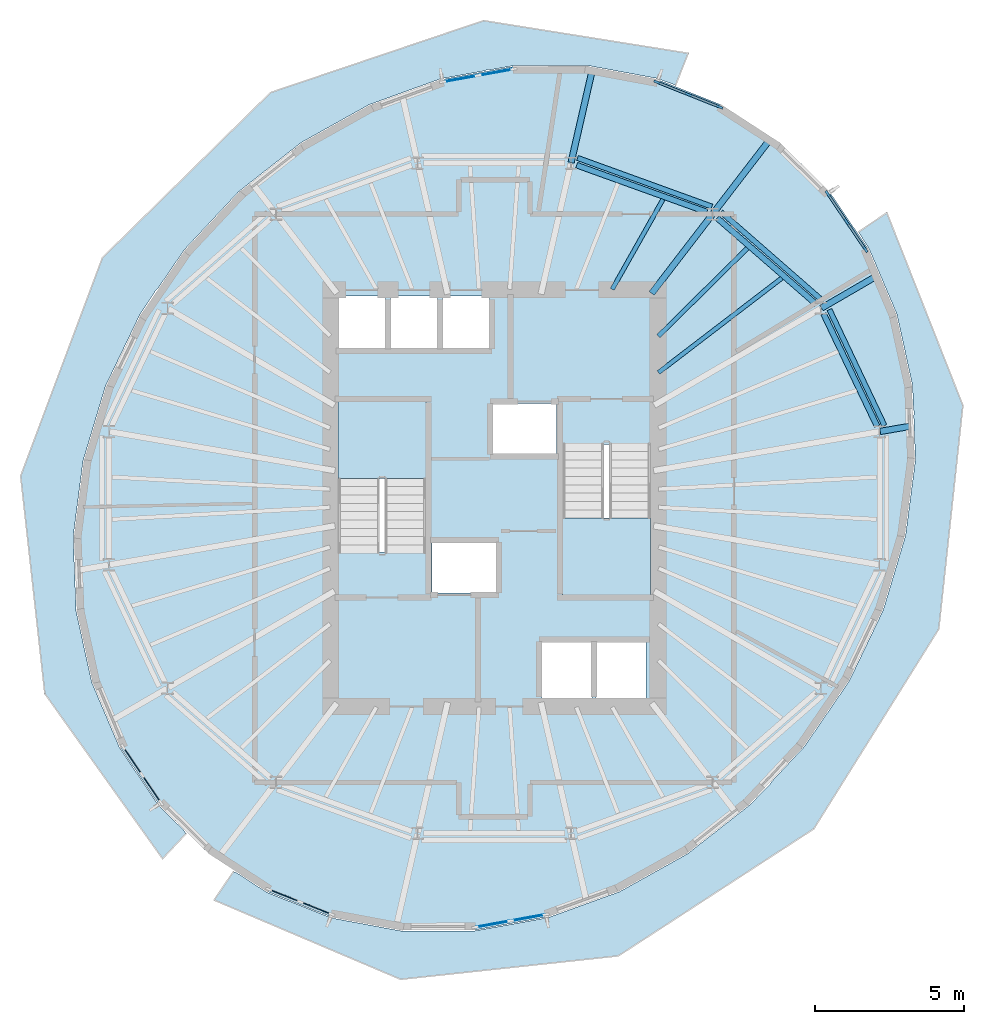
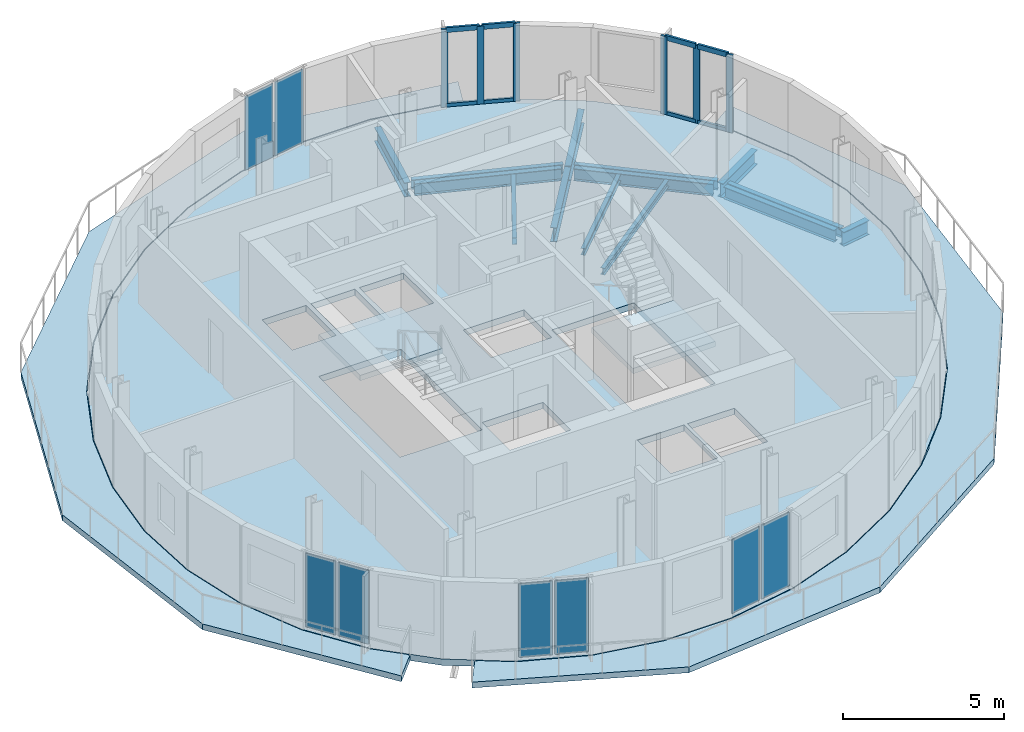
# One storey, part 3 of 9: 14 beams, 14 members, 8 plates, 5 slabs, 8 elements without a shape of their own.
"""IFC4 building model written with IfcOpenShell, lengths in metres."""

from ifc_helpers import new_model, si_unit, direction, frame, origin, origin_2d, place, context, subcontext, project, spatial, polyline, rectangle, i_section, outline, extrude, material, layer, layer_set, material_profile, profile_set, type_object, element, aggregate, save


model = new_model("IFC4")

# Units and contexts
model_context = context("Model", 3, precision=1e-05, world=origin(), true_north=direction((0.0, 1.0)))
body_context = subcontext(model_context, "Body", "Model", "MODEL_VIEW")
ifc_project = project(units=[si_unit("LENGTHUNIT", "METRE"), si_unit("AREAUNIT", "SQUARE_METRE"), si_unit("VOLUMEUNIT", "CUBIC_METRE"), si_unit("PLANEANGLEUNIT", "RADIAN"), si_unit("MASSUNIT", "GRAM", prefix="KILO")], contexts=[model_context])

# Site, building, storey
site_placement = place(None, origin())
site = spatial("IfcSite", under=ifc_project, at=site_placement, CompositionType="ELEMENT")
building_placement = place(site_placement, origin())
building = spatial("IfcBuilding", under=site, at=building_placement, Name="Veldorim Arch Residences", CompositionType="ELEMENT")
storey_placement = place(building_placement, frame((0.0, 0.0, 204.639892578125)))
storey = spatial("IfcBuildingStorey", under=building, at=storey_placement, Name="L61", CompositionType="ELEMENT", Elevation=204.639892578125)

# Curtain wall, members
ifc_material_1 = material(Name="Aluminium", Category="aluminium")
curtain_wall_type = type_object("IfcCurtainWallType", Name="Sky Lounge & Conservatory Tall Curtain Wall", PredefinedType="NOTDEFINED", material=ifc_material_1)
curtain_wall_1_placement = place(storey_placement, origin())
curtain_wall_1 = element("IfcCurtainWall", 1, at=curtain_wall_1_placement, inside=storey, type_object=curtain_wall_type, Name="L61 unitised curtain wall bay 02", PredefinedType="NOTDEFINED")
ifc_material_2 = material(Name="Aluminium", Category="aluminium")
ifc_material_profile_1 = material_profile(ifc_material_2, rectangle(XDim=0.080078125, YDim=0.219970703125, at=origin_2d()), Name="ALU_MUL_80x220")
ifc_profile_set_1 = profile_set([ifc_material_profile_1], Name="Aluminium")
member_type_1 = type_object("IfcMemberType", Name="Sky Lounge & Conservatory Tall Curtain Wall Mullion 80x220", PredefinedType="MULLION", material=ifc_profile_set_1)
member_1_placement = place(storey_placement, frame((37.46435546875, 37.9794921875, 0.0), z_axis=(0.0, 0.0, 1.0), x_axis=(0.368670793641, 0.92956002814, 0.0)))
member_1 = element("IfcMember", 2, at=member_1_placement, type_object=member_type_1, Name="CW-SKY mullion 1", PredefinedType="MULLION", context=body_context, shape_type="SweptSolid", body=[
    extrude(rectangle(XDim=0.080078125, YDim=0.219970703125, at=origin_2d()), origin(), (0.0, 0.0, 1.0), 2.960205078125),
])
member_2_placement = place(storey_placement, frame((38.51806640625, 37.5615234375, 0.0), z_axis=(0.0, 0.0, 1.0), x_axis=(0.368670793641, 0.92956002814, 0.0)))
member_2 = element("IfcMember", 3, at=member_2_placement, type_object=member_type_1, Name="CW-SKY mullion 2", PredefinedType="MULLION", context=body_context, shape_type="SweptSolid", body=[
    extrude(rectangle(XDim=0.080078125, YDim=0.219970703125, at=origin_2d()), origin(), (0.0, 0.0, 1.0), 2.960205078125),
])
member_3_placement = place(storey_placement, frame((39.571533203125, 37.143798828125, 0.0), z_axis=(0.0, 0.0, 1.0), x_axis=(0.368670793641, 0.92956002814, 0.0)))
member_3 = element("IfcMember", 4, at=member_3_placement, type_object=member_type_1, Name="CW-SKY mullion 3", PredefinedType="MULLION", context=body_context, shape_type="SweptSolid", body=[
    extrude(rectangle(XDim=0.080078125, YDim=0.219970703125, at=origin_2d()), origin(), (0.0, 0.0, 1.0), 2.960205078125),
])

curtain_wall_2_placement = place(storey_placement, origin())
curtain_wall_2 = element("IfcCurtainWall", 5, at=curtain_wall_2_placement, inside=storey, type_object=curtain_wall_type, Name="L61 unitised curtain wall bay 35", PredefinedType="NOTDEFINED")
member_4_placement = place(storey_placement, frame((43.197021484375, 34.23291015625, 0.0), z_axis=(0.0, 0.0, 1.0), x_axis=(0.827943581901, 0.560811398946, 0.0)))
member_4 = element("IfcMember", 6, at=member_4_placement, type_object=member_type_1, Name="CW-SKY mullion 1", PredefinedType="MULLION", context=body_context, shape_type="SweptSolid", body=[
    extrude(rectangle(XDim=0.080078125, YDim=0.219970703125, at=origin_2d()), origin(), (0.0, 0.0, 1.0), 2.960205078125),
])
member_5_placement = place(storey_placement, frame((43.832763671875, 33.294677734375, 0.0), z_axis=(0.0, 0.0, 1.0), x_axis=(0.827943581901, 0.560811398946, 0.0)))
member_5 = element("IfcMember", 7, at=member_5_placement, type_object=member_type_1, Name="CW-SKY mullion 2", PredefinedType="MULLION", context=body_context, shape_type="SweptSolid", body=[
    extrude(rectangle(XDim=0.080078125, YDim=0.219970703125, at=origin_2d()), origin(), (0.0, 0.0, 1.0), 2.960205078125),
])
member_6_placement = place(storey_placement, frame((44.46826171875, 32.356201171875, 0.0), z_axis=(0.0, 0.0, 1.0), x_axis=(0.827943581901, 0.560811398946, 0.0)))
member_6 = element("IfcMember", 8, at=member_6_placement, type_object=member_type_1, Name="CW-SKY mullion 3", PredefinedType="MULLION", context=body_context, shape_type="SweptSolid", body=[
    extrude(rectangle(XDim=0.080078125, YDim=0.219970703125, at=origin_2d()), origin(), (0.0, 0.0, 1.0), 2.960205078125),
])

# Member
ifc_material_3 = material(Name="Aluminium", Category="aluminium")
ifc_material_profile_2 = material_profile(ifc_material_3, rectangle(XDim=0.080078125, YDim=0.18505859375, at=origin_2d()), Name="ALU_TRN_80x185")
ifc_profile_set_2 = profile_set([ifc_material_profile_2], Name="Aluminium")
member_type_2 = type_object("IfcMemberType", Name="Sky Lounge & Conservatory Tall Curtain Wall Transom 80x185", PredefinedType="USERDEFINED", material=ifc_profile_set_2)
member_7_placement = place(storey_placement, frame((37.50146484375, 37.964599609375, 0.0400390625), z_axis=(0.929623083141, -0.368511768186, 0.0), x_axis=(0.368511768186, 0.929623083141, 0.0)))
member_7 = element("IfcMember", 9, at=member_7_placement, type_object=member_type_2, Name="CW-SKY transom 1.1", ObjectType="TRANSOM", PredefinedType="USERDEFINED", context=body_context, shape_type="SweptSolid", body=[
    extrude(rectangle(XDim=0.080078125, YDim=0.18505859375, at=origin_2d()), origin(), (0.0, 0.0, 1.0), 1.053466796875),
])

member_8_placement = place(storey_placement, frame((37.50146484375, 37.964599609375, 2.920166015625), z_axis=(0.929623083141, -0.368511768186, 0.0), x_axis=(0.368511768186, 0.929623083141, 0.0)))
member_8 = element("IfcMember", 10, at=member_8_placement, type_object=member_type_2, Name="CW-SKY transom 1.2", ObjectType="TRANSOM", PredefinedType="USERDEFINED", context=body_context, shape_type="SweptSolid", body=[
    extrude(rectangle(XDim=0.080078125, YDim=0.18505859375, at=origin_2d()), origin(), (0.0, 0.0, 1.0), 1.053466796875),
])

member_9_placement = place(storey_placement, frame((38.55517578125, 37.546875, 0.0400390625), z_axis=(0.929543669813, -0.368712036568, 0.0), x_axis=(0.368712036568, 0.929543669813, 0.0)))
member_9 = element("IfcMember", 11, at=member_9_placement, type_object=member_type_2, Name="CW-SKY transom 2.1", ObjectType="TRANSOM", PredefinedType="USERDEFINED", context=body_context, shape_type="SweptSolid", body=[
    extrude(rectangle(XDim=0.080078125, YDim=0.18505859375, at=origin_2d()), origin(), (0.0, 0.0, 1.0), 1.053466796875),
])

member_10_placement = place(storey_placement, frame((38.55517578125, 37.546875, 2.920166015625), z_axis=(0.929543669813, -0.368712036568, 0.0), x_axis=(0.368712036568, 0.929543669813, 0.0)))
member_10 = element("IfcMember", 12, at=member_10_placement, type_object=member_type_2, Name="CW-SKY transom 2.2", ObjectType="TRANSOM", PredefinedType="USERDEFINED", context=body_context, shape_type="SweptSolid", body=[
    extrude(rectangle(XDim=0.080078125, YDim=0.18505859375, at=origin_2d()), origin(), (0.0, 0.0, 1.0), 1.053466796875),
])

aggregate(curtain_wall_1, [member_1, member_2, member_3, member_7, member_8, member_9, member_10])

member_11_placement = place(storey_placement, frame((43.219482421875, 34.199951171875, 0.0400390625), z_axis=(0.560781533978, -0.82796381029, 0.0), x_axis=(0.82796381029, 0.560781533978, 0.0)))
member_11 = element("IfcMember", 13, at=member_11_placement, type_object=member_type_2, Name="CW-SKY transom 1.1", ObjectType="TRANSOM", PredefinedType="USERDEFINED", context=body_context, shape_type="SweptSolid", body=[
    extrude(rectangle(XDim=0.080078125, YDim=0.18505859375, at=origin_2d()), origin(), (0.0, 0.0, 1.0), 1.053466796875),
])

member_12_placement = place(storey_placement, frame((43.219482421875, 34.199951171875, 2.920166015625), z_axis=(0.560781533978, -0.82796381029, 0.0), x_axis=(0.82796381029, 0.560781533978, 0.0)))
member_12 = element("IfcMember", 14, at=member_12_placement, type_object=member_type_2, Name="CW-SKY transom 1.2", ObjectType="TRANSOM", PredefinedType="USERDEFINED", context=body_context, shape_type="SweptSolid", body=[
    extrude(rectangle(XDim=0.080078125, YDim=0.18505859375, at=origin_2d()), origin(), (0.0, 0.0, 1.0), 1.053466796875),
])

member_13_placement = place(storey_placement, frame((43.85498046875, 33.261474609375, 0.0400390625), z_axis=(0.560889142733, -0.827890916464, 0.0), x_axis=(0.827890916464, 0.560889142733, 0.0)))
member_13 = element("IfcMember", 15, at=member_13_placement, type_object=member_type_2, Name="CW-SKY transom 2.1", ObjectType="TRANSOM", PredefinedType="USERDEFINED", context=body_context, shape_type="SweptSolid", body=[
    extrude(rectangle(XDim=0.080078125, YDim=0.18505859375, at=origin_2d()), origin(), (0.0, 0.0, 1.0), 1.053466796875),
])

member_14_placement = place(storey_placement, frame((43.85498046875, 33.261474609375, 2.920166015625), z_axis=(0.560889142733, -0.827890916464, 0.0), x_axis=(0.827890916464, 0.560889142733, 0.0)))
member_14 = element("IfcMember", 16, at=member_14_placement, type_object=member_type_2, Name="CW-SKY transom 2.2", ObjectType="TRANSOM", PredefinedType="USERDEFINED", context=body_context, shape_type="SweptSolid", body=[
    extrude(rectangle(XDim=0.080078125, YDim=0.18505859375, at=origin_2d()), origin(), (0.0, 0.0, 1.0), 1.053466796875),
])

aggregate(curtain_wall_2, [member_4, member_5, member_6, member_11, member_12, member_13, member_14])

# Beams
ifc_material_4 = material(Name="Steel S355", Category="steel")
ifc_material_profile_3 = material_profile(ifc_material_4, i_section(OverallWidth=0.2119140625, OverallDepth=0.54443359375, WebThickness=0.0126953125, FlangeThickness=0.021240234375, at=origin_2d()), Name="UB533x210x122")
ifc_profile_set_3 = profile_set([ifc_material_profile_3], Name="Steel S355")
beam_type_1 = type_object("IfcBeamType", Name="Structural Steel Beam UB533x210x122", PredefinedType="BEAM", material=ifc_profile_set_3)
beam_1_placement = place(storey_placement, frame((44.966064453125, 26.242919921875, -0.51220703125), z_axis=(0.985333604627, 0.170639056469, 0.0), x_axis=(-0.170639056469, 0.985333604627, 0.0)))
element("IfcBeam", 17, at=beam_1_placement, inside=storey, type_object=beam_type_1, Name="L61 radial edge cantilever girder 01", PredefinedType="BEAM", context=body_context, shape_type="SweptSolid", body=[
    extrude(i_section(OverallWidth=0.2119140625, OverallDepth=0.54443359375, WebThickness=0.0126953125, FlangeThickness=0.021240234375, at=origin_2d()), origin(), (0.0, 0.0, 1.0), 1.02734375),
])
beam_2_placement = place(storey_placement, frame((42.99267578125, 30.387939453125, -0.51220703125), z_axis=(0.864621216471, 0.502424274919, 0.0), x_axis=(-0.502424274919, 0.864621216471, 0.0)))
element("IfcBeam", 18, at=beam_2_placement, inside=storey, type_object=beam_type_1, Name="L61 radial edge cantilever girder 02", PredefinedType="BEAM", context=body_context, shape_type="SweptSolid", body=[
    extrude(i_section(OverallWidth=0.2119140625, OverallDepth=0.54443359375, WebThickness=0.0126953125, FlangeThickness=0.021240234375, at=origin_2d()), origin(), (0.0, 0.0, 1.0), 2.141357421875),
])
beam_3_placement = place(storey_placement, frame((37.28662109375, 30.881103515625, -0.51220703125), z_axis=(0.609258442308, 0.792971721108, 0.0), x_axis=(-0.792971721108, 0.609258442308, 0.0)))
element("IfcBeam", 19, at=beam_3_placement, inside=storey, type_object=beam_type_1, Name="L61 radial floor girder 03", PredefinedType="BEAM", context=body_context, shape_type="SweptSolid", body=[
    extrude(i_section(OverallWidth=0.2119140625, OverallDepth=0.54443359375, WebThickness=0.0126953125, FlangeThickness=0.021240234375, at=origin_2d()), origin(), (0.0, 0.0, 1.0), 3.339599609375),
])
beam_4_placement = place(storey_placement, frame((39.345703125, 33.561279296875, -0.51220703125), z_axis=(0.60924748857, 0.792980136997, 0.0), x_axis=(-0.792980136997, 0.60924748857, 0.0)))
element("IfcBeam", 20, at=beam_4_placement, inside=storey, type_object=beam_type_1, Name="L61 radial edge cantilever girder 03", PredefinedType="BEAM", context=body_context, shape_type="SweptSolid", body=[
    extrude(i_section(OverallWidth=0.2119140625, OverallDepth=0.54443359375, WebThickness=0.0126953125, FlangeThickness=0.021240234375, at=origin_2d()), origin(), (0.0, 0.0, 1.0), 3.13330078125),
])
beam_5_placement = place(storey_placement, frame((34.57958984375, 35.27880859375, -0.51220703125), z_axis=(0.222970635171, 0.974825161684, 0.0), x_axis=(-0.974825161684, 0.222970635171, 0.0)))
element("IfcBeam", 21, at=beam_5_placement, inside=storey, type_object=beam_type_1, Name="L61 radial edge cantilever girder 04", PredefinedType="BEAM", context=body_context, shape_type="SweptSolid", body=[
    extrude(i_section(OverallWidth=0.2119140625, OverallDepth=0.54443359375, WebThickness=0.0126953125, FlangeThickness=0.021240234375, at=origin_2d()), origin(), (0.0, 0.0, 1.0), 3.181884765625),
])
ifc_material_5 = material(Name="Steel S355", Category="steel")
ifc_material_profile_4 = material_profile(ifc_material_5, i_section(OverallWidth=0.146484375, OverallDepth=0.256103515625, WebThickness=0.00634765625, FlangeThickness=0.010986328125, at=origin_2d()), Name="UB254x146x37")
ifc_profile_set_4 = profile_set([ifc_material_profile_4], Name="Steel S355")
beam_type_2 = type_object("IfcBeamType", Name="Structural Steel Joist UB254x146x37", PredefinedType="JOIST", material=ifc_profile_set_4)
beam_6_placement = place(storey_placement, frame((37.515869140625, 28.222900390625, -0.367919921875), z_axis=(0.794013672216, 0.607899899929, 0.0), x_axis=(-0.607899899929, 0.794013672216, 0.0)))
element("IfcBeam", 22, at=beam_6_placement, inside=storey, type_object=beam_type_2, Name="L61 secondary radial floor joist 02-1", PredefinedType="JOIST", context=body_context, shape_type="SweptSolid", body=[
    extrude(i_section(OverallWidth=0.146484375, OverallDepth=0.256103515625, WebThickness=0.00634765625, FlangeThickness=0.010986328125, at=origin_2d()), origin(), (0.0, 0.0, 1.0), 5.217041015625),
])
beam_7_placement = place(storey_placement, frame((37.51416015625, 29.44775390625, -0.367919921875), z_axis=(0.711396725432, 0.702790650937, 0.0), x_axis=(-0.702790650937, 0.711396725432, 0.0)))
element("IfcBeam", 23, at=beam_7_placement, inside=storey, type_object=beam_type_2, Name="L61 secondary radial floor joist 02-2", PredefinedType="JOIST", context=body_context, shape_type="SweptSolid", body=[
    extrude(i_section(OverallWidth=0.146484375, OverallDepth=0.256103515625, WebThickness=0.00634765625, FlangeThickness=0.010986328125, at=origin_2d()), origin(), (0.0, 0.0, 1.0), 4.198486328125),
])
beam_8_placement = place(storey_placement, frame((35.960205078125, 31.017333984375, -0.367919921875), z_axis=(0.491452469585, 0.870904397818, 0.0), x_axis=(-0.870904397818, 0.491452469585, 0.0)))
element("IfcBeam", 24, at=beam_8_placement, inside=storey, type_object=beam_type_2, Name="L61 secondary radial floor joist 03-1", PredefinedType="JOIST", context=body_context, shape_type="SweptSolid", body=[
    extrude(i_section(OverallWidth=0.146484375, OverallDepth=0.256103515625, WebThickness=0.00634765625, FlangeThickness=0.010986328125, at=origin_2d()), origin(), (0.0, 0.0, 1.0), 3.472412109375),
])
ifc_material_6 = material(Name="Steel S355", Category="steel")
ifc_material_profile_5 = material_profile(ifc_material_6, i_section(OverallWidth=0.172119140625, OverallDepth=0.35791015625, WebThickness=0.008056640625, FlangeThickness=0.012939453125, at=origin_2d()), Name="UB356x171x57")
ifc_profile_set_5 = profile_set([ifc_material_profile_5], Name="Steel S355")
beam_type_3 = type_object("IfcBeamType", Name="Structural Steel Spandrel UB356x171x57", PredefinedType="SPANDREL", material=ifc_profile_set_5)
beam_9_placement = place(storey_placement, frame((45.106201171875, 26.4423828125, -0.43896484375), z_axis=(-0.428468601304, 0.903556670994, 0.0), x_axis=(-0.903556670994, -0.428468601304, 0.0)))
element("IfcBeam", 25, at=beam_9_placement, inside=storey, type_object=beam_type_3, Name="L61 perimeter chord spandrel beam 01", PredefinedType="SPANDREL", context=body_context, shape_type="SweptSolid", body=[
    extrude(i_section(OverallWidth=0.172119140625, OverallDepth=0.35791015625, WebThickness=0.008056640625, FlangeThickness=0.012939453125, at=origin_2d()), origin(), (0.0, 0.0, 1.0), 4.31005859375),
])
beam_10_placement = place(storey_placement, frame((43.048095703125, 30.6162109375, -0.43896484375), z_axis=(-0.752868439096, 0.658171036596, 0.0), x_axis=(-0.658171036596, -0.752868439096, 0.0)))
element("IfcBeam", 26, at=beam_10_placement, inside=storey, type_object=beam_type_3, Name="L61 perimeter chord spandrel beam 02", PredefinedType="SPANDREL", context=body_context, shape_type="SweptSolid", body=[
    extrude(i_section(OverallWidth=0.172119140625, OverallDepth=0.35791015625, WebThickness=0.008056640625, FlangeThickness=0.012939453125, at=origin_2d()), origin(), (0.0, 0.0, 1.0), 4.560791015625),
])
beam_11_placement = place(storey_placement, frame((39.311279296875, 33.796630859375, -0.43896484375), z_axis=(-0.940178823137, 0.340681347486, 0.0), x_axis=(-0.340681347486, -0.940178823137, 0.0)))
element("IfcBeam", 27, at=beam_11_placement, inside=storey, type_object=beam_type_3, Name="L61 perimeter chord spandrel beam 03", PredefinedType="SPANDREL", context=body_context, shape_type="SweptSolid", body=[
    extrude(i_section(OverallWidth=0.172119140625, OverallDepth=0.35791015625, WebThickness=0.008056640625, FlangeThickness=0.012939453125, at=origin_2d()), origin(), (0.0, 0.0, 1.0), 4.80126953125),
])
ifc_material_7 = material(Name="Steel S355", Category="steel")
ifc_material_profile_6 = material_profile(ifc_material_7, i_section(OverallWidth=0.19140625, OverallDepth=0.4599609375, WebThickness=0.010009765625, FlangeThickness=0.01611328125, at=origin_2d()), Name="UB457x191x82")
ifc_profile_set_6 = profile_set([ifc_material_profile_6], Name="Steel S355")
beam_type_4 = type_object("IfcBeamType", Name="Structural Steel Spandrel UB457x191x82", PredefinedType="SPANDREL", material=ifc_profile_set_6)
beam_12_placement = place(storey_placement, frame((44.85888671875, 26.42333984375, -0.469970703125), z_axis=(-0.429992574394, 0.902832424078, 0.0), x_axis=(-0.902832424078, -0.429992574394, 0.0)))
element("IfcBeam", 28, at=beam_12_placement, inside=storey, type_object=beam_type_4, Name="L61 perimeter ring tie beam 01", PredefinedType="SPANDREL", context=body_context, shape_type="SweptSolid", body=[
    extrude(i_section(OverallWidth=0.19140625, OverallDepth=0.4599609375, WebThickness=0.010009765625, FlangeThickness=0.01611328125, at=origin_2d()), origin(), (0.0, 0.0, 1.0), 4.176513671875),
])
beam_13_placement = place(storey_placement, frame((42.82177734375, 30.511474609375, -0.469970703125), z_axis=(-0.754534162517, 0.656260769508, 0.0), x_axis=(-0.656260769508, -0.754534162517, 0.0)))
element("IfcBeam", 29, at=beam_13_placement, inside=storey, type_object=beam_type_4, Name="L61 perimeter ring tie beam 02", PredefinedType="SPANDREL", context=body_context, shape_type="SweptSolid", body=[
    extrude(i_section(OverallWidth=0.19140625, OverallDepth=0.4599609375, WebThickness=0.010009765625, FlangeThickness=0.01611328125, at=origin_2d()), origin(), (0.0, 0.0, 1.0), 4.419677734375),
])
beam_14_placement = place(storey_placement, frame((39.14208984375, 33.6142578125, -0.469970703125), z_axis=(-0.940819134121, 0.338909068736, 0.0), x_axis=(-0.338909068736, -0.940819134121, 0.0)))
element("IfcBeam", 30, at=beam_14_placement, inside=storey, type_object=beam_type_4, Name="L61 perimeter ring tie beam 03", PredefinedType="SPANDREL", context=body_context, shape_type="SweptSolid", body=[
    extrude(i_section(OverallWidth=0.19140625, OverallDepth=0.4599609375, WebThickness=0.010009765625, FlangeThickness=0.01611328125, at=origin_2d()), origin(), (0.0, 0.0, 1.0), 4.650634765625),
])

# Slabs
ifc_material_8 = material(Name="Concrete C40/50", Category="concrete")
ifc_layer_1 = layer(ifc_material_8, 0.219970703125, Name="Planted Crescent Cantilever Balcony Slab 220")
ifc_layer_set_1 = layer_set([ifc_layer_1], Name="Concrete C40/50")
slab_type_1 = type_object("IfcSlabType", Name="Planted Crescent Cantilever Balcony Slab 220", PredefinedType="FLOOR", material=ifc_layer_set_1)
slab_1_placement = place(storey_placement, frame((0.0, 0.0, -0.219970703125)))
element("IfcSlab", 31, at=slab_1_placement, inside=storey, type_object=slab_type_1, Name="L61 planted crescent balcony slab A", PredefinedType="FLOOR", context=body_context, shape_type="SweptSolid", body=[
    extrude(outline(polyline([(38.090087890625, 37.878173828125), (37.46728515625, 38.10205078125), (35.115234375, 38.540283203125), (32.668701171875, 38.53662109375), (31.8779296875, 38.393798828125), (31.781982421875, 38.40185546875), (31.664794921875, 38.355224609375), (30.201904296875, 38.09130859375), (27.790283203125, 37.2177734375), (25.50634765625, 35.94287109375), (23.419921875, 34.305419921875), (21.59375, 32.354736328125), (20.694580078125, 31.0419921875), (20.608642578125, 30.955078125), (20.083984375, 30.150390625), (18.93603515625, 27.759521484375), (18.184814453125, 25.25390625), (17.853271484375, 22.71044921875), (17.951416015625, 20.205810546875), (18.4765625, 17.81640625), (19.41259765625, 15.614501953125), (20.731689453125, 13.667236328125), (21.572265625, 12.841064453125), (21.64013671875, 12.72900390625), (20.853515625, 11.89013671875), (16.8994140625, 17.433349609375), (16.087646484375, 24.745361328125), (18.834716796875, 32.0791015625), (24.48388671875, 37.62890625), (31.642822265625, 40.04345703125), (38.512451171875, 38.94775390625), (38.090087890625, 37.878173828125)])), origin(), (0.0, 0.0, 1.0), 0.219970703125),
])
slab_2_placement = place(storey_placement, frame((0.0, 0.0, -0.219970703125)))
element("IfcSlab", 32, at=slab_2_placement, inside=storey, type_object=slab_type_1, Name="L61 planted crescent balcony slab B", PredefinedType="FLOOR", context=body_context, shape_type="SweptSolid", body=[
    extrude(outline(polyline([(23.3583984375, 11.406982421875), (24.3466796875, 10.764892578125), (26.53271484375, 9.89794921875), (28.884765625, 9.459716796875), (31.331298828125, 9.46337890625), (33.798095703125, 9.90869140625), (36.209716796875, 10.7822265625), (38.49365234375, 12.05712890625), (40.580078125, 13.694580078125), (41.25244140625, 14.380859375), (41.318603515625, 14.4833984375), (42.40625, 15.645263671875), (43.916015625, 17.849609375), (45.06396484375, 20.240478515625), (45.815185546875, 22.74609375), (46.146728515625, 25.28955078125), (46.088623046875, 26.774658203125), (46.108642578125, 26.8994140625), (46.080078125, 26.991455078125), (46.048583984375, 27.794189453125), (45.5234375, 30.18359375), (44.58740234375, 32.385498046875), (44.234130859375, 32.945068359375), (45.187255859375, 33.5888671875), (47.74169921875, 27.118408203125), (46.93115234375, 19.606689453125), (42.733154296875, 12.891845703125), (36.16650390625, 8.62451171875), (28.851806640625, 7.8369140625), (22.5849609375, 10.5), (23.23388671875, 11.44921875), (23.3583984375, 11.406982421875)])), origin(), (0.0, 0.0, 1.0), 0.219970703125),
])

# Stair, slab
ifc_material_9 = material(Name="Concrete C40/50", Category="concrete")
stair_type = type_object("IfcStairType", Name="Reinforced Concrete Dogleg Exit Staircase", PredefinedType="HALF_TURN_STAIR", material=ifc_material_9)
stair_1_placement = place(storey_placement, origin())
stair_1 = element("IfcStair", 33, at=stair_1_placement, inside=storey, type_object=stair_type, Name="L61 Exit Staircase ST-1", PredefinedType="HALF_TURN_STAIR")
ifc_material_10 = material(Name="Concrete C40/50", Category="concrete")
ifc_layer_2 = layer(ifc_material_10, 0.199951171875, Name="Reinforced Concrete Stair Landing 200")
ifc_layer_set_2 = layer_set([ifc_layer_2], Name="Concrete C40/50")
slab_type_2 = type_object("IfcSlabType", Name="Reinforced Concrete Stair Landing 200", PredefinedType="LANDING", material=ifc_layer_set_2)
slab_3_placement = place(storey_placement, frame((0.0, 0.0, 1.400146484375)))
slab_3 = element("IfcSlab", 34, at=slab_3_placement, type_object=slab_type_2, Name="ST-1 landing 1", PredefinedType="LANDING", context=body_context, shape_type="SweptSolid", body=[
    extrude(outline(polyline([(29.7099609375, 24.669921875), (29.7099609375, 27.25), (26.75, 27.25), (26.75, 24.669921875), (29.7099609375, 24.669921875)])), origin(), (0.0, 0.0, 1.0), 0.199951171875),
])
aggregate(stair_1, [slab_3])

stair_2_placement = place(storey_placement, origin())
stair_2 = element("IfcStair", 35, at=stair_2_placement, inside=storey, type_object=stair_type, Name="L61 Exit Staircase ST-2", PredefinedType="HALF_TURN_STAIR")
slab_4_placement = place(storey_placement, frame((0.0, 0.0, 1.400146484375)))
slab_4 = element("IfcSlab", 36, at=slab_4_placement, type_object=slab_type_2, Name="ST-2 landing 1", PredefinedType="LANDING", context=body_context, shape_type="SweptSolid", body=[
    extrude(outline(polyline([(34.2900390625, 23.330078125), (34.2900390625, 20.75), (37.25, 20.75), (37.25, 23.330078125), (34.2900390625, 23.330078125)])), origin(), (0.0, 0.0, 1.0), 0.199951171875),
])
aggregate(stair_2, [slab_4])

# Curtain wall, plates
curtain_wall_3_placement = place(storey_placement, origin())
curtain_wall_3 = element("IfcCurtainWall", 37, at=curtain_wall_3_placement, inside=storey, type_object=curtain_wall_type, Name="L61 unitised curtain wall bay 05", PredefinedType="NOTDEFINED")
ifc_material_11 = material(Name="Laminated Low-E Glass", Category="glass")
ifc_layer_3 = layer(ifc_material_11, 0.031982421875, Name="Sky Lounge & Conservatory Tall Curtain Wall Glazing Panel 32")
ifc_layer_set_3 = layer_set([ifc_layer_3], Name="Laminated Low-E Glass")
plate_type = type_object("IfcPlateType", Name="Sky Lounge & Conservatory Tall Curtain Wall Glazing Panel 32", PredefinedType="CURTAIN_PANEL", material=ifc_layer_set_3)
plate_1_placement = place(storey_placement, frame((30.85986328125, 38.093017578125, 0.080078125), z_axis=(0.0, 0.0, 1.0), x_axis=(0.984087861101, 0.177682530469, 0.0)))
plate_1 = element("IfcPlate", 38, at=plate_1_placement, type_object=plate_type, Name="CW-SKY panel 1.1", PredefinedType="CURTAIN_PANEL", context=body_context, shape_type="SweptSolid", body=[
    extrude(rectangle(XDim=1.131103515625, YDim=0.031982421875, at=origin_2d()), origin(), (0.0, 0.0, 1.0), 2.800048828125),
])
plate_2_placement = place(storey_placement, frame((32.051513671875, 38.308349609375, 0.080078125), z_axis=(0.0, 0.0, 1.0), x_axis=(0.984087861101, 0.177682530469, 0.0)))
plate_2 = element("IfcPlate", 39, at=plate_2_placement, type_object=plate_type, Name="CW-SKY panel 2.1", PredefinedType="CURTAIN_PANEL", context=body_context, shape_type="SweptSolid", body=[
    extrude(rectangle(XDim=1.131103515625, YDim=0.031982421875, at=origin_2d()), origin(), (0.0, 0.0, 1.0), 2.800048828125),
])
aggregate(curtain_wall_3, [plate_1, plate_2])

curtain_wall_4_placement = place(storey_placement, origin())
curtain_wall_4 = element("IfcCurtainWall", 40, at=curtain_wall_4_placement, inside=storey, type_object=curtain_wall_type, Name="L61 unitised curtain wall bay 17", PredefinedType="NOTDEFINED")
plate_3_placement = place(storey_placement, frame((20.485107421875, 14.236328125, 0.080078125), z_axis=(0.0, 0.0, 1.0), x_axis=(-0.560811398946, 0.827943581901, 0.0)))
plate_3 = element("IfcPlate", 41, at=plate_3_placement, type_object=plate_type, Name="CW-SKY panel 1.1", PredefinedType="CURTAIN_PANEL", context=body_context, shape_type="SweptSolid", body=[
    extrude(rectangle(XDim=1.053466796875, YDim=0.031982421875, at=origin_2d()), origin(), (0.0, 0.0, 1.0), 2.800048828125),
])
plate_4_placement = place(storey_placement, frame((19.849609375, 15.174560546875, 0.080078125), z_axis=(0.0, 0.0, 1.0), x_axis=(-0.560811398946, 0.827943581901, 0.0)))
plate_4 = element("IfcPlate", 42, at=plate_4_placement, type_object=plate_type, Name="CW-SKY panel 2.1", PredefinedType="CURTAIN_PANEL", context=body_context, shape_type="SweptSolid", body=[
    extrude(rectangle(XDim=1.053466796875, YDim=0.031982421875, at=origin_2d()), origin(), (0.0, 0.0, 1.0), 2.800048828125),
])
aggregate(curtain_wall_4, [plate_3, plate_4])

curtain_wall_5_placement = place(storey_placement, origin())
curtain_wall_5 = element("IfcCurtainWall", 43, at=curtain_wall_5_placement, inside=storey, type_object=curtain_wall_type, Name="L61 unitised curtain wall bay 20", PredefinedType="NOTDEFINED")
plate_5_placement = place(storey_placement, frame((26.0087890625, 10.2294921875, 0.080078125), z_axis=(0.0, 0.0, 1.0), x_axis=(-0.92956002814, 0.368670793641, 0.0)))
plate_5 = element("IfcPlate", 44, at=plate_5_placement, type_object=plate_type, Name="CW-SKY panel 1.1", PredefinedType="CURTAIN_PANEL", context=body_context, shape_type="SweptSolid", body=[
    extrude(rectangle(XDim=1.053466796875, YDim=0.031982421875, at=origin_2d()), origin(), (0.0, 0.0, 1.0), 2.800048828125),
])
plate_6_placement = place(storey_placement, frame((24.955322265625, 10.647216796875, 0.080078125), z_axis=(0.0, 0.0, 1.0), x_axis=(-0.92956002814, 0.368670793641, 0.0)))
plate_6 = element("IfcPlate", 45, at=plate_6_placement, type_object=plate_type, Name="CW-SKY panel 2.1", PredefinedType="CURTAIN_PANEL", context=body_context, shape_type="SweptSolid", body=[
    extrude(rectangle(XDim=1.053466796875, YDim=0.031982421875, at=origin_2d()), origin(), (0.0, 0.0, 1.0), 2.800048828125),
])
aggregate(curtain_wall_5, [plate_5, plate_6])

curtain_wall_6_placement = place(storey_placement, origin())
curtain_wall_6 = element("IfcCurtainWall", 46, at=curtain_wall_6_placement, inside=storey, type_object=curtain_wall_type, Name="L61 unitised curtain wall bay 23", PredefinedType="NOTDEFINED")
plate_7_placement = place(storey_placement, frame((33.14013671875, 9.906982421875, 0.080078125), z_axis=(0.0, 0.0, 1.0), x_axis=(-0.984087861101, -0.177682530469, 0.0)))
plate_7 = element("IfcPlate", 47, at=plate_7_placement, type_object=plate_type, Name="CW-SKY panel 1.1", PredefinedType="CURTAIN_PANEL", context=body_context, shape_type="SweptSolid", body=[
    extrude(rectangle(XDim=1.131103515625, YDim=0.031982421875, at=origin_2d()), origin(), (0.0, 0.0, 1.0), 2.800048828125),
])
plate_8_placement = place(storey_placement, frame((31.948486328125, 9.691650390625, 0.080078125), z_axis=(0.0, 0.0, 1.0), x_axis=(-0.984087861101, -0.177682530469, 0.0)))
plate_8 = element("IfcPlate", 48, at=plate_8_placement, type_object=plate_type, Name="CW-SKY panel 2.1", PredefinedType="CURTAIN_PANEL", context=body_context, shape_type="SweptSolid", body=[
    extrude(rectangle(XDim=1.131103515625, YDim=0.031982421875, at=origin_2d()), origin(), (0.0, 0.0, 1.0), 2.800048828125),
])
aggregate(curtain_wall_6, [plate_7, plate_8])

# Slab
ifc_material_12 = material(Name="Concrete C40/50", Category="concrete")
ifc_layer_4 = layer(ifc_material_12, 0.239990234375, Name="Typical Residential Floor Slab 240")
ifc_layer_set_4 = layer_set([ifc_layer_4], Name="Concrete C40/50")
slab_type_3 = type_object("IfcSlabType", Name="Typical Residential Floor Slab 240", PredefinedType="FLOOR", material=ifc_layer_set_4)
slab_5_placement = place(storey_placement, frame((0.0, 0.0, -0.239990234375)))
element("IfcSlab", 49, at=slab_5_placement, inside=storey, type_object=slab_type_3, Name="L61 tower structural floor slab", PredefinedType="FLOOR", context=body_context, shape_type="SweptSolid", body=[
    extrude(outline(polyline([(41.59130859375, 35.9462890625), (39.641845703125, 37.212646484375), (37.46044921875, 38.077880859375), (35.11279296875, 38.51513671875), (32.6708984375, 38.51171875), (30.20849609375, 38.06689453125), (27.800537109375, 37.195068359375), (25.520263671875, 35.922119140625), (23.436767578125, 34.286865234375), (21.61328125, 32.339111328125), (20.105712890625, 30.137939453125), (18.95947265625, 27.75048828125), (18.209228515625, 25.248779296875), (17.87841796875, 22.709228515625), (17.976318359375, 20.208984375), (18.50048828125, 17.823974609375), (19.434814453125, 15.62646484375), (20.7509765625, 13.683349609375), (22.40869140625, 12.0537109375), (24.358154296875, 10.787353515625), (26.53955078125, 9.922119140625), (28.88720703125, 9.48486328125), (31.3291015625, 9.48828125), (33.79150390625, 9.93310546875), (36.199462890625, 10.804931640625), (38.479736328125, 12.077880859375), (40.563232421875, 13.713134765625), (42.38671875, 15.660888671875), (43.894287109375, 17.862060546875), (45.04052734375, 20.24951171875), (45.790771484375, 22.751220703125), (46.12158203125, 25.290771484375), (46.023681640625, 27.791015625), (45.49951171875, 30.176025390625), (44.565185546875, 32.37353515625), (43.2490234375, 34.316650390625), (41.59130859375, 35.9462890625)]), holes=[polyline([(33.610107421875, 17.2099609375), (33.610107421875, 19.2900390625), (35.2900390625, 19.2900390625), (35.2900390625, 17.2099609375), (33.610107421875, 17.2099609375)]), polyline([(35.409912109375, 17.2099609375), (35.409912109375, 19.2900390625), (37.090087890625, 19.2900390625), (37.090087890625, 17.2099609375), (35.409912109375, 17.2099609375)]), polyline([(29.909912109375, 20.81494140625), (29.909912109375, 22.544921875), (32.090087890625, 22.544921875), (32.090087890625, 20.81494140625), (29.909912109375, 20.81494140625)]), polyline([(34.2900390625, 20.75), (34.2900390625, 25.804931640625), (37.25, 25.804931640625), (37.25, 20.75), (34.2900390625, 20.75)]), polyline([(26.75, 22.195068359375), (26.75, 27.25), (29.7099609375, 27.25), (29.7099609375, 22.195068359375), (26.75, 22.195068359375)]), polyline([(31.909912109375, 25.455078125), (31.909912109375, 27.18505859375), (34.090087890625, 27.18505859375), (34.090087890625, 25.455078125), (31.909912109375, 25.455078125)]), polyline([(26.760009765625, 28.909912109375), (26.760009765625, 30.7900390625), (28.340087890625, 30.7900390625), (28.340087890625, 28.909912109375), (26.760009765625, 28.909912109375)]), polyline([(28.510009765625, 30.7900390625), (30.090087890625, 30.7900390625), (30.090087890625, 28.909912109375), (28.510009765625, 28.909912109375), (28.510009765625, 30.7900390625)]), polyline([(30.260009765625, 30.7900390625), (31.840087890625, 30.7900390625), (31.840087890625, 28.909912109375), (30.260009765625, 28.909912109375), (30.260009765625, 30.7900390625)])]), origin(), (0.0, 0.0, 1.0), 0.239990234375),
])

save(model, "model.ifc")
